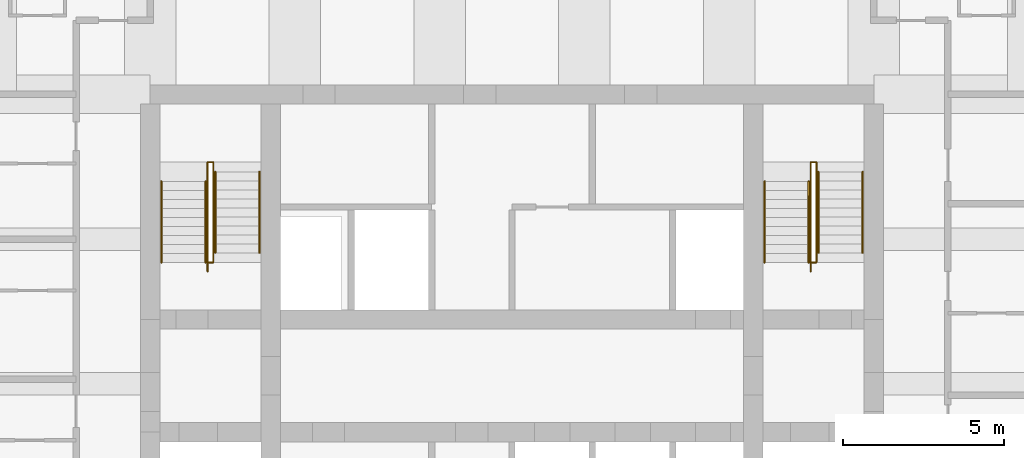
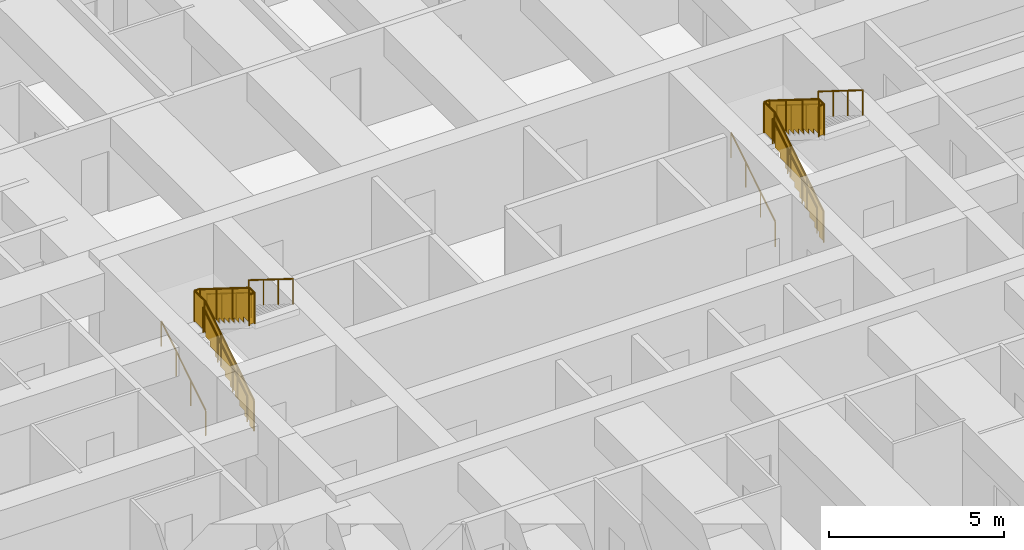
# One storey, part 8 of 8: 12 railings.
"""IFC4 building model written with IfcOpenShell, lengths in metres."""

from ifc_helpers import new_model, si_unit, direction, frame, origin, origin_2d, place, context, subcontext, project, spatial, polyline, circle, outline, extrude, material, type_object, element, save


model = new_model("IFC4")

# Units and contexts
model_context = context("Model", 3, precision=1e-05, world=origin(), true_north=direction((0.0, 1.0)))
body_context = subcontext(model_context, "Body", "Model", "MODEL_VIEW")
ifc_project = project(units=[si_unit("LENGTHUNIT", "METRE"), si_unit("AREAUNIT", "SQUARE_METRE"), si_unit("VOLUMEUNIT", "CUBIC_METRE"), si_unit("PLANEANGLEUNIT", "RADIAN"), si_unit("MASSUNIT", "GRAM", prefix="KILO")], contexts=[model_context])

# Site, building, storey
site_placement = place(None, origin())
site = spatial("IfcSite", under=ifc_project, at=site_placement, CompositionType="ELEMENT")
building_placement = place(site_placement, origin())
building = spatial("IfcBuilding", under=site, at=building_placement, Name="Kilele Tower Hotel", CompositionType="ELEMENT")
storey_placement = place(building_placement, frame((0.0, 0.0, 110.89990234375)))
storey = spatial("IfcBuildingStorey", under=building, at=storey_placement, Name="L28", CompositionType="ELEMENT", Elevation=110.89990234375)

# Railings
ifc_material_1 = material(Name="Steel handrail", Category="steel")
railing_type_1 = type_object("IfcRailingType", Name="Handrail 900", PredefinedType="HANDRAIL", material=ifc_material_1)
for number, where, name in (
    (1, (13.85009765625, 21.77490234375, 0.175048828125), "Handrail ST1 flight 1"),
    (2, (15.22509765625, 21.77490234375, 0.175048828125), "Handrail ST1 flight 1"),
):
    element("IfcRailing", number, at=place(storey_placement, frame(where)), inside=storey, type_object=railing_type_1, Name=name, PredefinedType="HANDRAIL", context=body_context, shape_type="SweptSolid", body=[
        extrude(circle(Radius=0.02490234375, at=origin_2d()), frame((0.0, 0.0, 0.875), z_axis=(0.0, 0.848007534815, 0.529984170421), x_axis=(-1.0, 0.0, 0.0)), (0.0, 0.0, 1.0), 2.9716796875),
        extrude(circle(Radius=0.02001953125, at=origin_2d()), origin(), (0.0, 0.0, 1.0), 0.849853515625),
        extrude(circle(Radius=0.02001953125, at=origin_2d()), frame((0.0, 0.840087890625, 0.52490234375)), (0.0, 0.0, 1.0), 0.849853515625),
        extrude(circle(Radius=0.02001953125, at=origin_2d()), frame((0.0, 1.679931640625, 1.050048828125)), (0.0, 0.0, 1.0), 0.849853515625),
        extrude(circle(Radius=0.02001953125, at=origin_2d()), frame((0.0, 2.52001953125, 1.574951171875)), (0.0, 0.0, 1.0), 0.849853515625),
    ])
for number, where, name in (
    (3, (15.52490234375, 24.594970703125, 1.925048828125), "Handrail ST1 flight 2"),
    (4, (16.89990234375, 24.594970703125, 1.925048828125), "Handrail ST1 flight 2"),
):
    element("IfcRailing", number, at=place(storey_placement, frame(where)), inside=storey, type_object=railing_type_1, Name=name, PredefinedType="HANDRAIL", context=body_context, shape_type="SweptSolid", body=[
        extrude(circle(Radius=0.02490234375, at=origin_2d()), frame((0.0, 0.0, 0.875), z_axis=(0.0, -0.848007534815, 0.529984170421), x_axis=(1.0, 0.0, 0.0)), (0.0, 0.0, 1.0), 2.9716796875),
        extrude(circle(Radius=0.02001953125, at=origin_2d()), origin(), (0.0, 0.0, 1.0), 0.849853515625),
        extrude(circle(Radius=0.02001953125, at=origin_2d()), frame((0.0, -0.840087890625, 0.52490234375)), (0.0, 0.0, 1.0), 0.849853515625),
        extrude(circle(Radius=0.02001953125, at=origin_2d()), frame((0.0, -1.679931640625, 1.050048828125)), (0.0, 0.0, 1.0), 0.849853515625),
        extrude(circle(Radius=0.02001953125, at=origin_2d()), frame((0.0, -2.52001953125, 1.574951171875)), (0.0, 0.0, 1.0), 0.849853515625),
    ])
for number, where, name in (
    (5, (32.60009765625, 21.77490234375, 0.175048828125), "Handrail ST2 flight 1"),
    (6, (33.97509765625, 21.77490234375, 0.175048828125), "Handrail ST2 flight 1"),
):
    element("IfcRailing", number, at=place(storey_placement, frame(where)), inside=storey, type_object=railing_type_1, Name=name, PredefinedType="HANDRAIL", context=body_context, shape_type="SweptSolid", body=[
        extrude(circle(Radius=0.02490234375, at=origin_2d()), frame((0.0, 0.0, 0.875), z_axis=(0.0, 0.848007534815, 0.529984170421), x_axis=(-1.0, 0.0, 0.0)), (0.0, 0.0, 1.0), 2.9716796875),
        extrude(circle(Radius=0.02001953125, at=origin_2d()), origin(), (0.0, 0.0, 1.0), 0.849853515625),
        extrude(circle(Radius=0.02001953125, at=origin_2d()), frame((0.0, 0.840087890625, 0.52490234375)), (0.0, 0.0, 1.0), 0.849853515625),
        extrude(circle(Radius=0.02001953125, at=origin_2d()), frame((0.0, 1.679931640625, 1.050048828125)), (0.0, 0.0, 1.0), 0.849853515625),
        extrude(circle(Radius=0.02001953125, at=origin_2d()), frame((0.0, 2.52001953125, 1.574951171875)), (0.0, 0.0, 1.0), 0.849853515625),
    ])
for number, where, name in (
    (7, (34.27490234375, 24.594970703125, 1.925048828125), "Handrail ST2 flight 2"),
    (8, (35.64990234375, 24.594970703125, 1.925048828125), "Handrail ST2 flight 2"),
):
    element("IfcRailing", number, at=place(storey_placement, frame(where)), inside=storey, type_object=railing_type_1, Name=name, PredefinedType="HANDRAIL", context=body_context, shape_type="SweptSolid", body=[
        extrude(circle(Radius=0.02490234375, at=origin_2d()), frame((0.0, 0.0, 0.875), z_axis=(0.0, -0.848007534815, 0.529984170421), x_axis=(1.0, 0.0, 0.0)), (0.0, 0.0, 1.0), 2.9716796875),
        extrude(circle(Radius=0.02001953125, at=origin_2d()), origin(), (0.0, 0.0, 1.0), 0.849853515625),
        extrude(circle(Radius=0.02001953125, at=origin_2d()), frame((0.0, -0.840087890625, 0.52490234375)), (0.0, 0.0, 1.0), 0.849853515625),
        extrude(circle(Radius=0.02001953125, at=origin_2d()), frame((0.0, -1.679931640625, 1.050048828125)), (0.0, 0.0, 1.0), 0.849853515625),
        extrude(circle(Radius=0.02001953125, at=origin_2d()), frame((0.0, -2.52001953125, 1.574951171875)), (0.0, 0.0, 1.0), 0.849853515625),
    ])
ifc_material_2 = material(Name="Steel guard", Category="steel")
railing_type_2 = type_object("IfcRailingType", Name="Stair guard 1100", PredefinedType="GUARDRAIL", material=ifc_material_2)
railing_1_placement = place(storey_placement, frame((15.284912109375, 21.4951171875, 0.0)))
element("IfcRailing", 9, at=railing_1_placement, inside=storey, type_object=railing_type_2, Name="Stair well guard ST1 flight 1", PredefinedType="GUARDRAIL", context=body_context, shape_type="SweptSolid", body=[
    extrude(circle(Radius=0.02490234375, at=origin_2d()), frame((0.0, 0.0, 1.0751953125), z_axis=(0.0, 0.847981687118, 0.530025526095), x_axis=(-1.0, 0.0, 0.0)), (0.0, 0.0, 1.0), 3.3017578125),
    extrude(circle(Radius=0.02490234375, at=origin_2d()), frame((0.0, 2.7998046875, 2.8251953125), z_axis=(0.0, 1.0, 0.0), x_axis=(-1.0, 0.0, 0.0)), (0.0, 0.0, 1.0), 0.60009765625),
    extrude(circle(Radius=0.02490234375, at=origin_2d()), frame((0.0, 3.39990234375, 2.8251953125), z_axis=(1.0, 0.0, 0.0), x_axis=(0.0, 1.0, 0.0)), (0.0, 0.0, 1.0), 0.18017578125),
    extrude(circle(Radius=0.02490234375, at=origin_2d()), origin(), (0.0, 0.0, 1.0), 1.050048828125),
    extrude(circle(Radius=0.02490234375, at=origin_2d()), frame((0.0, 0.933349609375, 0.583251953125)), (0.0, 0.0, 1.0), 1.050048828125),
    extrude(circle(Radius=0.02490234375, at=origin_2d()), frame((0.0, 1.866455078125, 1.166748046875)), (0.0, 0.0, 1.0), 1.050048828125),
    extrude(circle(Radius=0.02490234375, at=origin_2d()), frame((0.0, 2.7998046875, 1.75)), (0.0, 0.0, 1.0), 1.050048828125),
    extrude(circle(Radius=0.02490234375, at=origin_2d()), frame((0.0, 3.39990234375, 1.75)), (0.0, 0.0, 1.0), 1.050048828125),
    extrude(circle(Radius=0.02490234375, at=origin_2d()), frame((0.18017578125, 3.39990234375, 1.75)), (0.0, 0.0, 1.0), 1.050048828125),
    extrude(outline(polyline([(0.012451171875, 0.030029296875), (0.25, 0.030029296875), (0.25, 0.205078125), (0.530029296875, 0.205078125), (0.530029296875, 0.380126953125), (0.809814453125, 0.380126953125), (0.809814453125, 0.554931640625), (1.08984375, 0.554931640625), (1.08984375, 0.72998046875), (1.369873046875, 0.72998046875), (1.369873046875, 0.905029296875), (1.64990234375, 0.905029296875), (1.64990234375, 1.080078125), (1.929931640625, 1.080078125), (1.929931640625, 1.255126953125), (2.209716796875, 1.255126953125), (2.209716796875, 1.429931640625), (2.48974609375, 1.429931640625), (2.48974609375, 1.60498046875), (2.769775390625, 1.60498046875), (2.769775390625, 1.780029296875), (2.787353515625, 1.780029296875), (2.787353515625, 2.787841796875), (0.012451171875, 1.053466796875), (0.012451171875, 0.030029296875)])), frame((-0.005859375, 0.0, 0.0), z_axis=(1.0, 0.0, 0.0), x_axis=(0.0, 1.0, 0.0)), (0.0, 0.0, 1.0), 0.011962890625),
    extrude(outline(polyline([(0.012451171875, 0.030029296875), (0.587646484375, 0.030029296875), (0.587646484375, 1.050048828125), (0.012451171875, 1.050048828125), (0.012451171875, 0.030029296875)])), frame((-0.005859375, 2.7998046875, 1.75), z_axis=(1.0, 0.0, 0.0), x_axis=(0.0, 1.0, 0.0)), (0.0, 0.0, 1.0), 0.011962890625),
    extrude(outline(polyline([(0.012451171875, 0.030029296875), (0.18017578125, 0.030029296875), (0.18017578125, 1.050048828125), (0.012451171875, 1.050048828125), (0.012451171875, 0.030029296875)])), frame((0.0, 3.40576171875, 1.75), z_axis=(0.0, -1.0, 0.0), x_axis=(1.0, 0.0, 0.0)), (0.0, 0.0, 1.0), 0.011962890625),
])
railing_2_placement = place(storey_placement, frame((15.465087890625, 24.89501953125, 1.75)))
element("IfcRailing", 10, at=railing_2_placement, inside=storey, type_object=railing_type_2, Name="Stair well guard ST1 flight 2", PredefinedType="GUARDRAIL", context=body_context, shape_type="SweptSolid", body=[
    extrude(circle(Radius=0.02490234375, at=origin_2d()), frame((0.0, 0.0, 1.0751953125), z_axis=(0.0, -1.0, 0.0), x_axis=(1.0, 0.0, 0.0)), (0.0, 0.0, 1.0), 0.02001953125),
    extrude(circle(Radius=0.02490234375, at=origin_2d()), frame((0.0, -0.02001953125, 1.0751953125), z_axis=(0.0, -0.848002457836, 0.529992293815), x_axis=(1.0, 0.0, 0.0)), (0.0, 0.0, 1.0), 3.302001953125),
    extrude(circle(Radius=0.02490234375, at=origin_2d()), frame((0.0, -2.820068359375, 2.8251953125), z_axis=(0.0, -1.0, 0.0), x_axis=(1.0, 0.0, 0.0)), (0.0, 0.0, 1.0), 0.300048828125),
    extrude(circle(Radius=0.02490234375, at=origin_2d()), frame((0.0, -3.1201171875, 2.8251953125), z_axis=(-1.0, 0.0, 0.0), x_axis=(0.0, -1.0, 0.0)), (0.0, 0.0, 1.0), 0.18017578125),
    extrude(circle(Radius=0.02490234375, at=origin_2d()), origin(), (0.0, 0.0, 1.0), 1.050048828125),
    extrude(circle(Radius=0.02490234375, at=origin_2d()), frame((0.0, -0.02001953125, 0.0)), (0.0, 0.0, 1.0), 1.050048828125),
    extrude(circle(Radius=0.02490234375, at=origin_2d()), frame((0.0, -0.953369140625, 0.583251953125)), (0.0, 0.0, 1.0), 1.050048828125),
    extrude(circle(Radius=0.02490234375, at=origin_2d()), frame((0.0, -1.88671875, 1.166748046875)), (0.0, 0.0, 1.0), 1.050048828125),
    extrude(circle(Radius=0.02490234375, at=origin_2d()), frame((0.0, -2.820068359375, 1.75)), (0.0, 0.0, 1.0), 1.050048828125),
    extrude(circle(Radius=0.02490234375, at=origin_2d()), frame((0.0, -3.1201171875, 1.75)), (0.0, 0.0, 1.0), 1.050048828125),
    extrude(circle(Radius=0.02490234375, at=origin_2d()), frame((-0.18017578125, -3.1201171875, 1.75)), (0.0, 0.0, 1.0), 1.050048828125),
    extrude(outline(polyline([(0.012451171875, 0.030029296875), (0.25, 0.030029296875), (0.25, 0.205078125), (0.530029296875, 0.205078125), (0.530029296875, 0.380126953125), (0.81005859375, 0.380126953125), (0.81005859375, 0.554931640625), (1.090087890625, 0.554931640625), (1.090087890625, 0.72998046875), (1.3701171875, 0.72998046875), (1.3701171875, 0.905029296875), (1.64990234375, 0.905029296875), (1.64990234375, 1.080078125), (1.929931640625, 1.080078125), (1.929931640625, 1.255126953125), (2.2099609375, 1.255126953125), (2.2099609375, 1.429931640625), (2.489990234375, 1.429931640625), (2.489990234375, 1.60498046875), (2.77001953125, 1.60498046875), (2.77001953125, 1.780029296875), (2.78759765625, 1.780029296875), (2.78759765625, 2.787841796875), (0.012451171875, 1.053466796875), (0.012451171875, 0.030029296875)])), frame((0.005859375, -0.02001953125, 0.0), z_axis=(-1.0, 0.0, 0.0), x_axis=(0.0, -1.0, 0.0)), (0.0, 0.0, 1.0), 0.011962890625),
    extrude(outline(polyline([(0.012451171875, 0.030029296875), (0.28759765625, 0.030029296875), (0.28759765625, 1.050048828125), (0.012451171875, 1.050048828125), (0.012451171875, 0.030029296875)])), frame((0.005859375, -2.820068359375, 1.75), z_axis=(-1.0, 0.0, 0.0), x_axis=(0.0, -1.0, 0.0)), (0.0, 0.0, 1.0), 0.011962890625),
    extrude(outline(polyline([(0.012451171875, 0.030029296875), (0.18017578125, 0.030029296875), (0.18017578125, 1.050048828125), (0.012451171875, 1.050048828125), (0.012451171875, 0.030029296875)])), frame((0.0, -3.1259765625, 1.75), z_axis=(0.0, 1.0, 0.0), x_axis=(-1.0, 0.0, 0.0)), (0.0, 0.0, 1.0), 0.011962890625),
])
railing_3_placement = place(storey_placement, frame((34.034912109375, 21.4951171875, 0.0)))
element("IfcRailing", 11, at=railing_3_placement, inside=storey, type_object=railing_type_2, Name="Stair well guard ST2 flight 1", PredefinedType="GUARDRAIL", context=body_context, shape_type="SweptSolid", body=[
    extrude(circle(Radius=0.02490234375, at=origin_2d()), frame((0.0, 0.0, 1.0751953125), z_axis=(0.0, 0.847981687118, 0.530025526095), x_axis=(-1.0, 0.0, 0.0)), (0.0, 0.0, 1.0), 3.3017578125),
    extrude(circle(Radius=0.02490234375, at=origin_2d()), frame((0.0, 2.7998046875, 2.8251953125), z_axis=(0.0, 1.0, 0.0), x_axis=(-1.0, 0.0, 0.0)), (0.0, 0.0, 1.0), 0.60009765625),
    extrude(circle(Radius=0.02490234375, at=origin_2d()), frame((0.0, 3.39990234375, 2.8251953125), z_axis=(1.0, 0.0, 0.0), x_axis=(0.0, 1.0, 0.0)), (0.0, 0.0, 1.0), 0.18017578125),
    extrude(circle(Radius=0.02490234375, at=origin_2d()), origin(), (0.0, 0.0, 1.0), 1.050048828125),
    extrude(circle(Radius=0.02490234375, at=origin_2d()), frame((0.0, 0.933349609375, 0.583251953125)), (0.0, 0.0, 1.0), 1.050048828125),
    extrude(circle(Radius=0.02490234375, at=origin_2d()), frame((0.0, 1.866455078125, 1.166748046875)), (0.0, 0.0, 1.0), 1.050048828125),
    extrude(circle(Radius=0.02490234375, at=origin_2d()), frame((0.0, 2.7998046875, 1.75)), (0.0, 0.0, 1.0), 1.050048828125),
    extrude(circle(Radius=0.02490234375, at=origin_2d()), frame((0.0, 3.39990234375, 1.75)), (0.0, 0.0, 1.0), 1.050048828125),
    extrude(circle(Radius=0.02490234375, at=origin_2d()), frame((0.18017578125, 3.39990234375, 1.75)), (0.0, 0.0, 1.0), 1.050048828125),
    extrude(outline(polyline([(0.012451171875, 0.030029296875), (0.25, 0.030029296875), (0.25, 0.205078125), (0.530029296875, 0.205078125), (0.530029296875, 0.380126953125), (0.809814453125, 0.380126953125), (0.809814453125, 0.554931640625), (1.08984375, 0.554931640625), (1.08984375, 0.72998046875), (1.369873046875, 0.72998046875), (1.369873046875, 0.905029296875), (1.64990234375, 0.905029296875), (1.64990234375, 1.080078125), (1.929931640625, 1.080078125), (1.929931640625, 1.255126953125), (2.209716796875, 1.255126953125), (2.209716796875, 1.429931640625), (2.48974609375, 1.429931640625), (2.48974609375, 1.60498046875), (2.769775390625, 1.60498046875), (2.769775390625, 1.780029296875), (2.787353515625, 1.780029296875), (2.787353515625, 2.787841796875), (0.012451171875, 1.053466796875), (0.012451171875, 0.030029296875)])), frame((-0.005859375, 0.0, 0.0), z_axis=(1.0, 0.0, 0.0), x_axis=(0.0, 1.0, 0.0)), (0.0, 0.0, 1.0), 0.011962890625),
    extrude(outline(polyline([(0.012451171875, 0.030029296875), (0.587646484375, 0.030029296875), (0.587646484375, 1.050048828125), (0.012451171875, 1.050048828125), (0.012451171875, 0.030029296875)])), frame((-0.005859375, 2.7998046875, 1.75), z_axis=(1.0, 0.0, 0.0), x_axis=(0.0, 1.0, 0.0)), (0.0, 0.0, 1.0), 0.011962890625),
    extrude(outline(polyline([(0.012451171875, 0.030029296875), (0.18017578125, 0.030029296875), (0.18017578125, 1.050048828125), (0.012451171875, 1.050048828125), (0.012451171875, 0.030029296875)])), frame((0.0, 3.40576171875, 1.75), z_axis=(0.0, -1.0, 0.0), x_axis=(1.0, 0.0, 0.0)), (0.0, 0.0, 1.0), 0.011962890625),
])
railing_4_placement = place(storey_placement, frame((34.215087890625, 24.89501953125, 1.75)))
element("IfcRailing", 12, at=railing_4_placement, inside=storey, type_object=railing_type_2, Name="Stair well guard ST2 flight 2", PredefinedType="GUARDRAIL", context=body_context, shape_type="SweptSolid", body=[
    extrude(circle(Radius=0.02490234375, at=origin_2d()), frame((0.0, 0.0, 1.0751953125), z_axis=(0.0, -1.0, 0.0), x_axis=(1.0, 0.0, 0.0)), (0.0, 0.0, 1.0), 0.02001953125),
    extrude(circle(Radius=0.02490234375, at=origin_2d()), frame((0.0, -0.02001953125, 1.0751953125), z_axis=(0.0, -0.848002457836, 0.529992293815), x_axis=(1.0, 0.0, 0.0)), (0.0, 0.0, 1.0), 3.302001953125),
    extrude(circle(Radius=0.02490234375, at=origin_2d()), frame((0.0, -2.820068359375, 2.8251953125), z_axis=(0.0, -1.0, 0.0), x_axis=(1.0, 0.0, 0.0)), (0.0, 0.0, 1.0), 0.300048828125),
    extrude(circle(Radius=0.02490234375, at=origin_2d()), frame((0.0, -3.1201171875, 2.8251953125), z_axis=(-1.0, 0.0, 0.0), x_axis=(0.0, -1.0, 0.0)), (0.0, 0.0, 1.0), 0.18017578125),
    extrude(circle(Radius=0.02490234375, at=origin_2d()), origin(), (0.0, 0.0, 1.0), 1.050048828125),
    extrude(circle(Radius=0.02490234375, at=origin_2d()), frame((0.0, -0.02001953125, 0.0)), (0.0, 0.0, 1.0), 1.050048828125),
    extrude(circle(Radius=0.02490234375, at=origin_2d()), frame((0.0, -0.953369140625, 0.583251953125)), (0.0, 0.0, 1.0), 1.050048828125),
    extrude(circle(Radius=0.02490234375, at=origin_2d()), frame((0.0, -1.88671875, 1.166748046875)), (0.0, 0.0, 1.0), 1.050048828125),
    extrude(circle(Radius=0.02490234375, at=origin_2d()), frame((0.0, -2.820068359375, 1.75)), (0.0, 0.0, 1.0), 1.050048828125),
    extrude(circle(Radius=0.02490234375, at=origin_2d()), frame((0.0, -3.1201171875, 1.75)), (0.0, 0.0, 1.0), 1.050048828125),
    extrude(circle(Radius=0.02490234375, at=origin_2d()), frame((-0.18017578125, -3.1201171875, 1.75)), (0.0, 0.0, 1.0), 1.050048828125),
    extrude(outline(polyline([(0.012451171875, 0.030029296875), (0.25, 0.030029296875), (0.25, 0.205078125), (0.530029296875, 0.205078125), (0.530029296875, 0.380126953125), (0.81005859375, 0.380126953125), (0.81005859375, 0.554931640625), (1.090087890625, 0.554931640625), (1.090087890625, 0.72998046875), (1.3701171875, 0.72998046875), (1.3701171875, 0.905029296875), (1.64990234375, 0.905029296875), (1.64990234375, 1.080078125), (1.929931640625, 1.080078125), (1.929931640625, 1.255126953125), (2.2099609375, 1.255126953125), (2.2099609375, 1.429931640625), (2.489990234375, 1.429931640625), (2.489990234375, 1.60498046875), (2.77001953125, 1.60498046875), (2.77001953125, 1.780029296875), (2.78759765625, 1.780029296875), (2.78759765625, 2.787841796875), (0.012451171875, 1.053466796875), (0.012451171875, 0.030029296875)])), frame((0.005859375, -0.02001953125, 0.0), z_axis=(-1.0, 0.0, 0.0), x_axis=(0.0, -1.0, 0.0)), (0.0, 0.0, 1.0), 0.011962890625),
    extrude(outline(polyline([(0.012451171875, 0.030029296875), (0.28759765625, 0.030029296875), (0.28759765625, 1.050048828125), (0.012451171875, 1.050048828125), (0.012451171875, 0.030029296875)])), frame((0.005859375, -2.820068359375, 1.75), z_axis=(-1.0, 0.0, 0.0), x_axis=(0.0, -1.0, 0.0)), (0.0, 0.0, 1.0), 0.011962890625),
    extrude(outline(polyline([(0.012451171875, 0.030029296875), (0.18017578125, 0.030029296875), (0.18017578125, 1.050048828125), (0.012451171875, 1.050048828125), (0.012451171875, 0.030029296875)])), frame((0.0, -3.1259765625, 1.75), z_axis=(0.0, 1.0, 0.0), x_axis=(-1.0, 0.0, 0.0)), (0.0, 0.0, 1.0), 0.011962890625),
])

save(model, "model.ifc")
